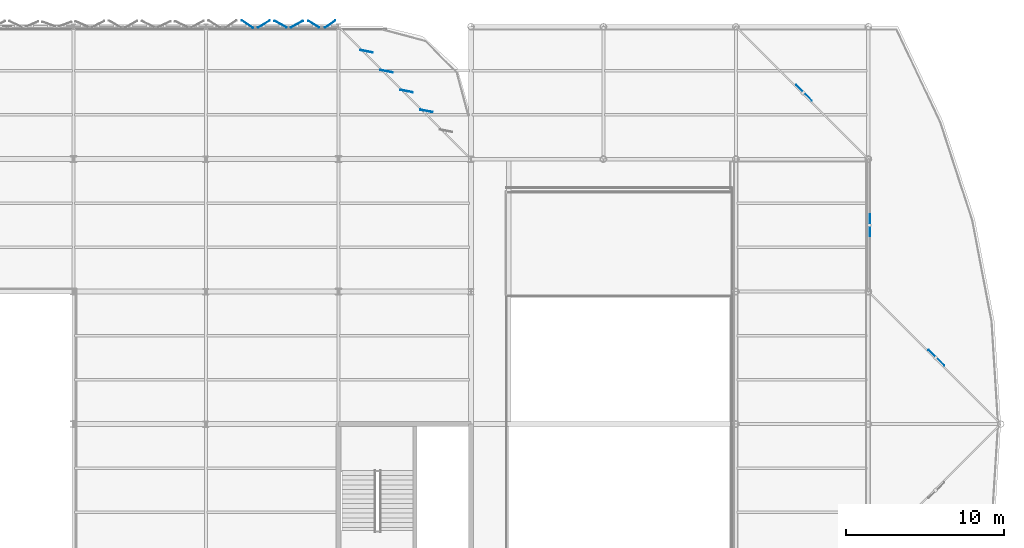
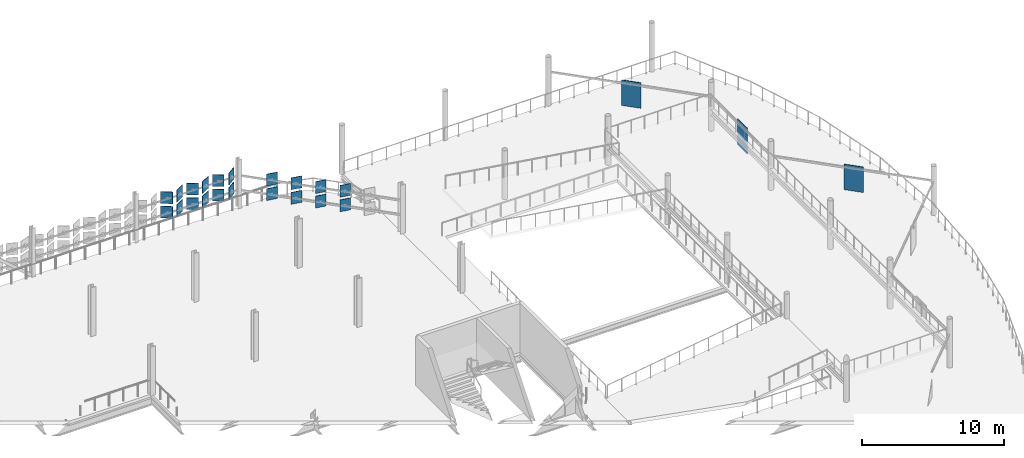
# One storey, part 128 of 163: 23 plates.
"""IFC4 building model written with IfcOpenShell, lengths in metres."""

from ifc_helpers import new_model, si_unit, direction, frame, origin, origin_2d, place, context, subcontext, project, spatial, rectangle, extrude, material, layer, layer_set, type_object, element, save


model = new_model("IFC4")

# Units and contexts
model_context = context("Model", 3, precision=1e-05, world=origin(), true_north=direction((0.0, 1.0)))
body_context = subcontext(model_context, "Body", "Model", "MODEL_VIEW")
ifc_project = project(units=[si_unit("LENGTHUNIT", "METRE"), si_unit("AREAUNIT", "SQUARE_METRE"), si_unit("VOLUMEUNIT", "CUBIC_METRE"), si_unit("PLANEANGLEUNIT", "RADIAN"), si_unit("MASSUNIT", "GRAM", prefix="KILO")], contexts=[model_context])

# Site, building, storey
site_placement = place(None, origin())
site = spatial("IfcSite", under=ifc_project, at=site_placement, CompositionType="ELEMENT")
building_placement = place(site_placement, origin())
building = spatial("IfcBuilding", under=site, at=building_placement, Name="Qalvenar Corner Mobility Hub", CompositionType="ELEMENT")
storey_placement = place(building_placement, frame((0.0, 0.0, 4.800048828125)))
storey = spatial("IfcBuildingStorey", under=building, at=storey_placement, Name="L01", CompositionType="ELEMENT", Elevation=4.800048828125)

# Plates
ifc_material_1 = material(Name="Perforated Bronze-Anodised Aluminium", Category="aluminium")
ifc_layer_1 = layer(ifc_material_1, 0.030029296875)
ifc_layer_set_1 = layer_set([ifc_layer_1], Name="Perforated Bronze-Anodised Aluminium")
plate_type_1 = type_object("IfcPlateType", Name="PLT-SCR-ROT", PredefinedType="SHEET", material=ifc_layer_set_1)
for number, where, z_axis, x_axis, name in (
    (1, (172.320068359375, 96.60009765625, 0.85009765625), (0.0, 0.0, 1.0), (-0.707106781187, 0.707106781187, 0.0), "Rotunda Sun Screen SC1-L01-4"),
    (2, (168.1201171875, 105.0, 0.85009765625), (0.0, 0.0, 1.0), (0.0, 1.0, 0.0), "Rotunda Sun Screen SC1-L01-5"),
    (3, (163.919921875, 113.39990234375, 0.85009765625), (0.0, 0.0, 1.0), (-0.707106781187, 0.707106781187, 0.0), "Rotunda Sun Screen SC1-L01-6"),
):
    element("IfcPlate", number, at=place(storey_placement, frame(where, z_axis=z_axis, x_axis=x_axis)), inside=storey, type_object=plate_type_1, Name=name, PredefinedType="SHEET", context=body_context, shape_type="SweptSolid", body=[
        extrude(rectangle(XDim=1.39990234375, YDim=0.030029296875, at=origin_2d()), origin(), (0.0, 0.0, 1.0), 2.199951171875),
    ])
ifc_material_2 = material(Name="Terracotta-Ochre Anodised Aluminium", Category="masonry")
ifc_layer_2 = layer(ifc_material_2, 0.035888671875)
ifc_layer_set_2 = layer_set([ifc_layer_2], Name="Terracotta-Ochre Anodised Aluminium")
plate_type_2 = type_object("IfcPlateType", Name="PLT-XC-L1-CRN", PredefinedType="SHEET", material=ifc_layer_set_2)
for number, where, z_axis, x_axis, name in (
    (4, (133.875, 117.760009765625, 0.989990234375), (0.0, 0.0, 1.0), (-0.819152044289, -0.573576436351, 0.0), "Hinged Facade Panel FP-L01-0129"),
    (5, (133.875, 117.760009765625, 2.239990234375), (0.0, 0.0, 1.0), (-0.819152044289, -0.573576436351, 0.0), "Hinged Facade Panel FP-L01-0130"),
    (6, (132.824951171875, 117.760009765625, 0.989990234375), (0.0, 0.0, 1.0), (-0.848325444973, 0.529475154669, 0.0), "Hinged Facade Panel FP-L01-0131"),
    (7, (132.824951171875, 117.760009765625, 2.239990234375), (0.0, 0.0, 1.0), (-0.848325444973, 0.529475154669, 0.0), "Hinged Facade Panel FP-L01-0132"),
    (8, (139.97314453125, 112.253173828125, 0.989990234375), (0.0, 0.0, 1.0), (-0.981627183448, 0.190808995377, 0.0), "Corner Hinged Panel FPC-L01-0342"),
    (9, (138.713134765625, 113.51318359375, 0.989990234375), (0.0, 0.0, 1.0), (-0.981627183448, 0.190808995377, 0.0), "Corner Hinged Panel FPC-L01-0343"),
    (10, (137.453125, 114.773193359375, 0.989990234375), (0.0, 0.0, 1.0), (-0.981627183448, 0.190808995377, 0.0), "Corner Hinged Panel FPC-L01-0344"),
    (11, (136.193115234375, 116.033203125, 0.989990234375), (0.0, 0.0, 1.0), (-0.981627183448, 0.190808995377, 0.0), "Corner Hinged Panel FPC-L01-0345"),
    (12, (139.97314453125, 112.253173828125, 2.239990234375), (0.0, 0.0, 1.0), (-0.981627183448, 0.190808995377, 0.0), "Corner Hinged Panel FPC-L01-0347"),
    (13, (138.713134765625, 113.51318359375, 2.239990234375), (0.0, 0.0, 1.0), (-0.981627183448, 0.190808995377, 0.0), "Corner Hinged Panel FPC-L01-0348"),
    (14, (137.453125, 114.773193359375, 2.239990234375), (0.0, 0.0, 1.0), (-0.981627183448, 0.190808995377, 0.0), "Corner Hinged Panel FPC-L01-0349"),
    (15, (136.193115234375, 116.033203125, 2.239990234375), (0.0, 0.0, 1.0), (-0.981627183448, 0.190808995377, 0.0), "Corner Hinged Panel FPC-L01-0350"),
):
    element("IfcPlate", number, at=place(storey_placement, frame(where, z_axis=z_axis, x_axis=x_axis)), inside=storey, type_object=plate_type_2, Name=name, PredefinedType="SHEET", context=body_context, shape_type="SweptSolid", body=[
        extrude(rectangle(XDim=0.800048828125, YDim=0.035888671875, at=origin_2d()), origin(), (0.0, 0.0, 1.0), 1.02001953125),
    ])
ifc_layer_3 = layer(ifc_material_2, 0.033935546875)
ifc_layer_set_3 = layer_set([ifc_layer_3], Name="Terracotta-Ochre Anodised Aluminium")
plate_type_3 = type_object("IfcPlateType", Name="PLT-XC-L1-STD", PredefinedType="SHEET", material=ifc_layer_set_3)
for number, where, z_axis, x_axis, name in (
    (16, (131.77490234375, 117.760009765625, 0.989990234375), (0.0, 0.0, 1.0), (-0.87512691893, -0.483893454972, 0.0), "Hinged Facade Panel FP-L01-0133"),
    (17, (131.77490234375, 117.760009765625, 2.239990234375), (0.0, 0.0, 1.0), (-0.87512691893, -0.483893454972, 0.0), "Hinged Facade Panel FP-L01-0134"),
    (18, (130.72509765625, 117.760009765625, 0.989990234375), (0.0, 0.0, 1.0), (-0.876306680044, 0.481753674102, 0.0), "Hinged Facade Panel FP-L01-0135"),
    (19, (130.72509765625, 117.760009765625, 2.239990234375), (0.0, 0.0, 1.0), (-0.876306680044, 0.481753674102, 0.0), "Hinged Facade Panel FP-L01-0136"),
    (20, (129.675048828125, 117.760009765625, 0.989990234375), (0.0, 0.0, 1.0), (-0.855635381204, -0.517579070704, 0.0), "Hinged Facade Panel FP-L01-0137"),
    (21, (129.675048828125, 117.760009765625, 2.239990234375), (0.0, 0.0, 1.0), (-0.855635381204, -0.517579070704, 0.0), "Hinged Facade Panel FP-L01-0138"),
    (22, (128.625, 117.760009765625, 0.989990234375), (0.0, 0.0, 1.0), (-0.831081548518, 0.556150572878, 0.0), "Hinged Facade Panel FP-L01-0139"),
    (23, (128.625, 117.760009765625, 2.239990234375), (0.0, 0.0, 1.0), (-0.831081548518, 0.556150572878, 0.0), "Hinged Facade Panel FP-L01-0140"),
):
    element("IfcPlate", number, at=place(storey_placement, frame(where, z_axis=z_axis, x_axis=x_axis)), inside=storey, type_object=plate_type_3, Name=name, PredefinedType="SHEET", context=body_context, shape_type="SweptSolid", body=[
        extrude(rectangle(XDim=0.860107421875, YDim=0.033935546875, at=origin_2d()), origin(), (0.0, 0.0, 1.0), 1.02001953125),
    ])

save(model, "model.ifc")
